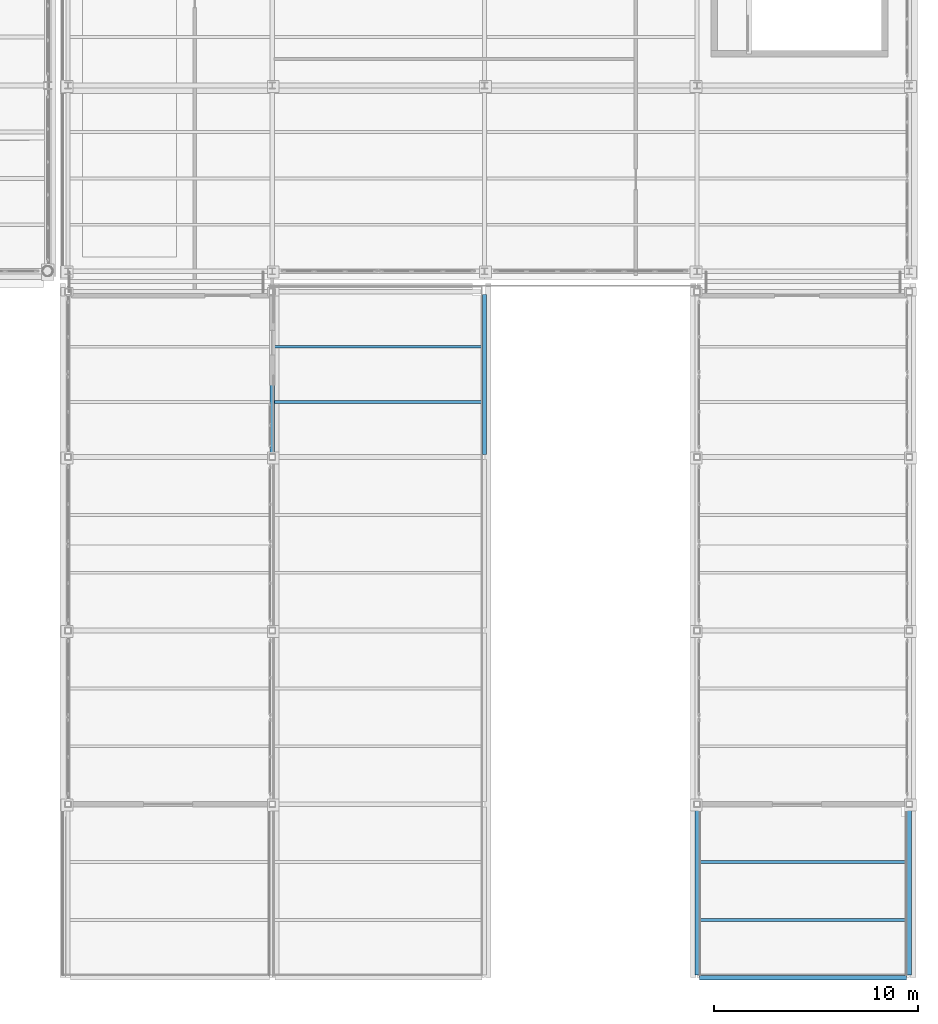
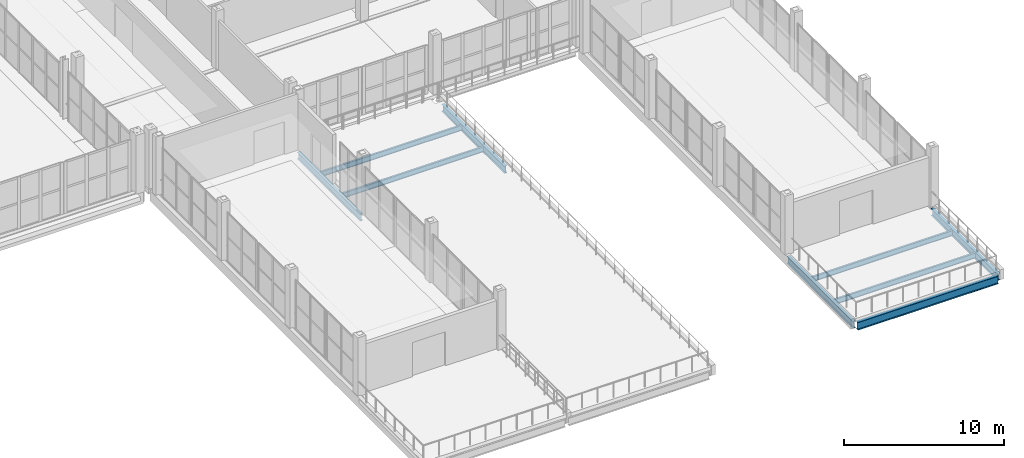
# One storey, part 71 of 156: 9 beams.
"""IFC4 building model written with IfcOpenShell, lengths in metres."""

from ifc_helpers import new_model, si_unit, direction, frame, origin, origin_2d, place, context, subcontext, project, spatial, i_section, extrude, material, material_profile, profile_set, type_object, element, save


model = new_model("IFC4")

# Units and contexts
model_context = context("Model", 3, precision=1e-05, world=origin(), true_north=direction((0.0, 1.0)))
body_context = subcontext(model_context, "Body", "Model", "MODEL_VIEW")
ifc_project = project(units=[si_unit("LENGTHUNIT", "METRE"), si_unit("AREAUNIT", "SQUARE_METRE"), si_unit("VOLUMEUNIT", "CUBIC_METRE"), si_unit("PLANEANGLEUNIT", "RADIAN"), si_unit("MASSUNIT", "GRAM", prefix="KILO")], contexts=[model_context])

# Site, building, storey
site_placement = place(None, origin())
site = spatial("IfcSite", under=ifc_project, at=site_placement, CompositionType="ELEMENT")
building_placement = place(site_placement, origin())
building = spatial("IfcBuilding", under=site, at=building_placement, Name="Caurita Quay Ferry Terminal", CompositionType="ELEMENT")
storey_placement = place(building_placement, frame((0.0, 0.0, 5.39990234375)))
storey = spatial("IfcBuildingStorey", under=building, at=storey_placement, Name="L01", CompositionType="ELEMENT", Elevation=5.39990234375)

# Beams
ifc_material = material(Name="Structural steel ASTM A992 Gr. 50", Category="steel")
ifc_material_profile_1 = material_profile(ifc_material, i_section(OverallWidth=0.210693359375, OverallDepth=0.53857421875, WebThickness=0.01171875, FlangeThickness=0.018798828125, FilletRadius=0.013916015625, at=origin_2d()), Name="W21X73")
ifc_profile_set_1 = profile_set([ifc_material_profile_1], Name="Structural steel ASTM A992 Gr. 50")
beam_type_1 = type_object("IfcBeamType", Name="BM-GR-W21A", PredefinedType="BEAM", material=ifc_profile_set_1)
for number, where, z_axis, x_axis, name in (
    (1, (142.800048828125, 25.62939453125, -0.529296875), (0.0, 1.0, 0.0), (-1.0, 0.0, 0.0), "L01 Beam BM-V3P-L01-Y-1428-256"),
    (2, (153.199951171875, 25.62939453125, -0.529296875), (0.0, 1.0, 0.0), (-1.0, 0.0, 0.0), "L01 Beam BM-V3P-L01-Y-1532-256"),
):
    element("IfcBeam", number, at=place(storey_placement, frame(where, z_axis=z_axis, x_axis=x_axis)), inside=storey, type_object=beam_type_1, Name=name, PredefinedType="BEAM", context=body_context, shape_type="SweptSolid", body=[
        extrude(i_section(OverallWidth=0.210693359375, OverallDepth=0.53857421875, WebThickness=0.01171875, FlangeThickness=0.018798828125, FilletRadius=0.013916015625, at=origin_2d()), origin(), (0.0, 0.0, 1.0), 7.841064453125),
    ])
for number, where, z_axis, x_axis, name in (
    (3, (163.60009765625, 0.12939453125, -0.529296875), (0.0, 1.0, 0.0), (-1.0, 0.0, 0.0), "L01 Beam BM-V3P-L01-Y-1636-1"),
    (4, (174.0, 0.12939453125, -0.529296875), (0.0, 1.0, 0.0), (-1.0, 0.0, 0.0), "L01 Beam BM-V3P-L01-Y-1740-1"),
):
    element("IfcBeam", number, at=place(storey_placement, frame(where, z_axis=z_axis, x_axis=x_axis)), inside=storey, type_object=beam_type_1, Name=name, PredefinedType="BEAM", context=body_context, shape_type="SweptSolid", body=[
        extrude(i_section(OverallWidth=0.210693359375, OverallDepth=0.53857421875, WebThickness=0.01171875, FlangeThickness=0.018798828125, FilletRadius=0.013916015625, at=origin_2d()), origin(), (0.0, 0.0, 1.0), 8.2412109375),
    ])
ifc_material_profile_2 = material_profile(ifc_material, i_section(OverallWidth=0.22802734375, OverallDepth=0.60205078125, WebThickness=0.010498046875, FlangeThickness=0.014892578125, at=origin_2d()), Name="W24X68")
ifc_profile_set_2 = profile_set([ifc_material_profile_2], Name="Structural steel ASTM A992 Gr. 50")
beam_type_2 = type_object("IfcBeamType", Name="BM-GR-W24C", PredefinedType="BEAM", material=ifc_profile_set_2)
beam_placement = place(storey_placement, frame((163.7294921875, 0.0, -0.560791015625), z_axis=(1.0, 0.0, 0.0), x_axis=(0.0, 1.0, 0.0)))
element("IfcBeam", 5, at=beam_placement, inside=storey, type_object=beam_type_2, Name="L01 Beam BM-V3P-L01-X-1637-0", PredefinedType="BEAM", context=body_context, shape_type="SweptSolid", body=[
    extrude(i_section(OverallWidth=0.22802734375, OverallDepth=0.60205078125, WebThickness=0.010498046875, FlangeThickness=0.014892578125, at=origin_2d()), origin(), (0.0, 0.0, 1.0), 10.14111328125),
])
ifc_material_profile_3 = material_profile(ifc_material, i_section(OverallWidth=0.139892578125, OverallDepth=0.39892578125, WebThickness=0.00634765625, FlangeThickness=0.0087890625, at=origin_2d()), Name="W16X26")
ifc_profile_set_3 = profile_set([ifc_material_profile_3], Name="Structural steel ASTM A992 Gr. 50")
beam_type_3 = type_object("IfcBeamType", Name="BM-JS-W16C", PredefinedType="JOIST", material=ifc_profile_set_3)
for number, where, z_axis, x_axis, name in (
    (6, (142.905517578125, 28.199951171875, -0.45947265625), (1.0, 0.0, 0.0), (0.0, 1.0, 0.0), "L01 Beam JS-V3P-L01-015"),
    (7, (142.905517578125, 30.89990234375, -0.45947265625), (1.0, 0.0, 0.0), (0.0, 1.0, 0.0), "L01 Beam JS-V3P-L01-016"),
):
    element("IfcBeam", number, at=place(storey_placement, frame(where, z_axis=z_axis, x_axis=x_axis)), inside=storey, type_object=beam_type_3, Name=name, PredefinedType="JOIST", context=body_context, shape_type="SweptSolid", body=[
        extrude(i_section(OverallWidth=0.139892578125, OverallDepth=0.39892578125, WebThickness=0.00634765625, FlangeThickness=0.0087890625, at=origin_2d()), origin(), (0.0, 0.0, 1.0), 10.18896484375),
    ])
for number, where, z_axis, x_axis, name in (
    (8, (163.705322265625, 2.833251953125, -0.45947265625), (1.0, 0.0, 0.0), (0.0, 1.0, 0.0), "L01 Beam JS-V3P-L01-017"),
    (9, (163.705322265625, 5.666748046875, -0.45947265625), (1.0, 0.0, 0.0), (0.0, 1.0, 0.0), "L01 Beam JS-V3P-L01-018"),
):
    element("IfcBeam", number, at=place(storey_placement, frame(where, z_axis=z_axis, x_axis=x_axis)), inside=storey, type_object=beam_type_3, Name=name, PredefinedType="JOIST", context=body_context, shape_type="SweptSolid", body=[
        extrude(i_section(OverallWidth=0.139892578125, OverallDepth=0.39892578125, WebThickness=0.00634765625, FlangeThickness=0.0087890625, at=origin_2d()), origin(), (0.0, 0.0, 1.0), 10.189208984375),
    ])

save(model, "model.ifc")
